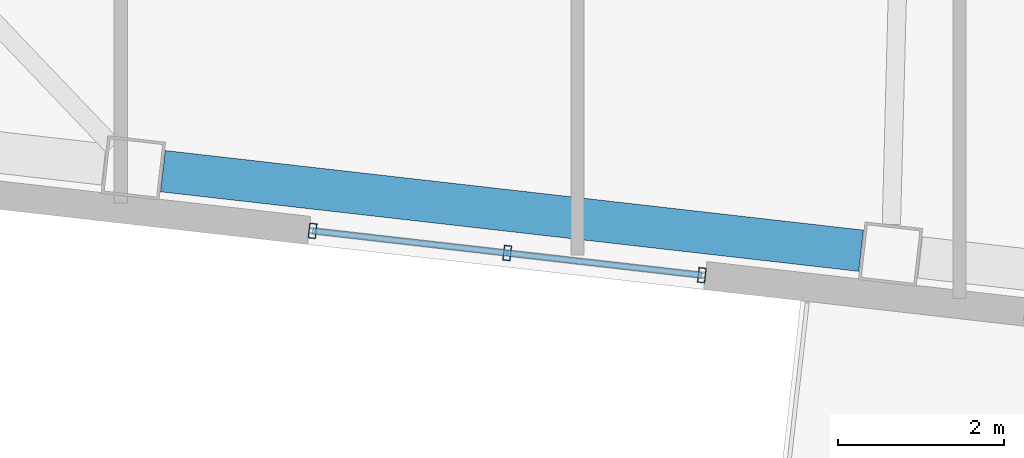
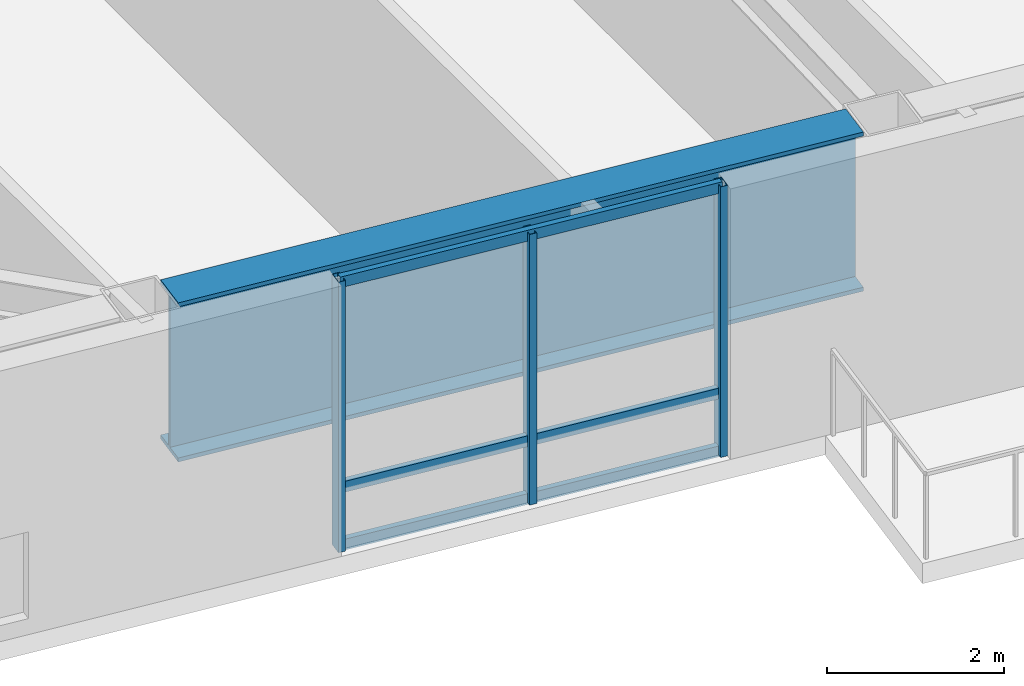
# One storey, part 2 of 21: 6 members, 1 beam, 1 element without a shape of its own.
"""IFC4 building model written with IfcOpenShell, lengths in metres."""

from ifc_helpers import new_model, si_unit, direction, frame, origin, origin_2d, place, context, subcontext, project, spatial, hollow_rectangle, i_section, extrude, material, layer, layer_set, material_profile, profile_set, type_object, element, aggregate, save


model = new_model("IFC4")

# Units and contexts
model_context = context("Model", 3, precision=1e-05, world=origin(), true_north=direction((0.0, 1.0)))
body_context = subcontext(model_context, "Body", "Model", "MODEL_VIEW")
ifc_project = project(units=[si_unit("LENGTHUNIT", "METRE"), si_unit("AREAUNIT", "SQUARE_METRE"), si_unit("VOLUMEUNIT", "CUBIC_METRE"), si_unit("PLANEANGLEUNIT", "RADIAN"), si_unit("MASSUNIT", "GRAM", prefix="KILO")], contexts=[model_context])

# Site, building, storey
site_placement = place(None, origin())
site = spatial("IfcSite", under=ifc_project, at=site_placement, CompositionType="ELEMENT")
building_placement = place(site_placement, origin())
building = spatial("IfcBuilding", under=site, at=building_placement, Name="Tavrogorsk Clinical Tower", CompositionType="ELEMENT")
storey_placement = place(building_placement, frame((0.0, 0.0, 109.39990234375)))
storey = spatial("IfcBuildingStorey", under=building, at=storey_placement, Name="L24", CompositionType="ELEMENT", Elevation=109.39990234375)

# Curtain wall, members
ifc_material_1 = material(Name="Anodised aluminium and triple IGU glazing", Category="aluminium")
ifc_layer = layer(ifc_material_1, 0.179931640625)
ifc_layer_set = layer_set([ifc_layer], Name="Anodised aluminium and triple IGU glazing")
curtain_wall_type = type_object("IfcCurtainWallType", Name="CW3_SouthSlot", PredefinedType="NOTDEFINED", material=ifc_layer_set)
curtain_wall_placement = place(storey_placement, origin())
curtain_wall = element("IfcCurtainWall", 1, at=curtain_wall_placement, inside=storey, type_object=curtain_wall_type, Name="L24 Curtain Wall CW-L24-S-SLOT-1", PredefinedType="NOTDEFINED")
ifc_material_2 = material(Name="Anodised aluminium alloy AW-6060", Category="aluminium")
ifc_material_profile_1 = material_profile(ifc_material_2, hollow_rectangle(XDim=0.090087890625, YDim=0.179931640625, WallThickness=0.00634765625, at=origin_2d()), Name="RHS-180x90x6.3")
ifc_profile_set_1 = profile_set([ifc_material_profile_1], Name="Anodised aluminium alloy AW-6060")
member_type_1 = type_object("IfcMemberType", Name="CwMullion_180x90", PredefinedType="MULLION", material=ifc_profile_set_1)
member_1_placement = place(storey_placement, frame((-11.850341796875, -24.9658203125, 0.0), z_axis=(0.0, 0.0, 1.0), x_axis=(0.993571855603, -0.11320321441, 0.0)))
member_1 = element("IfcMember", 2, at=member_1_placement, type_object=member_type_1, Name="CW-L24-S-SLOT-1 Mullion 1", PredefinedType="MULLION", context=body_context, shape_type="SweptSolid", body=[
    extrude(hollow_rectangle(XDim=0.090087890625, YDim=0.179931640625, WallThickness=0.00634765625, at=origin_2d()), origin(), (0.0, 0.0, 1.0), 3.739990234375),
])
member_2_placement = place(storey_placement, frame((-9.50634765625, -25.23291015625, 0.0), z_axis=(0.0, 0.0, 1.0), x_axis=(0.993571855603, -0.11320321441, 0.0)))
member_2 = element("IfcMember", 3, at=member_2_placement, type_object=member_type_1, Name="CW-L24-S-SLOT-1 Mullion 2", PredefinedType="MULLION", context=body_context, shape_type="SweptSolid", body=[
    extrude(hollow_rectangle(XDim=0.090087890625, YDim=0.179931640625, WallThickness=0.00634765625, at=origin_2d()), origin(), (0.0, 0.0, 1.0), 3.739990234375),
])
member_3_placement = place(storey_placement, frame((-7.16259765625, -25.499755859375, 0.0), z_axis=(0.0, 0.0, 1.0), x_axis=(0.993571855603, -0.11320321441, 0.0)))
member_3 = element("IfcMember", 4, at=member_3_placement, type_object=member_type_1, Name="CW-L24-S-SLOT-1 Mullion 3", PredefinedType="MULLION", context=body_context, shape_type="SweptSolid", body=[
    extrude(hollow_rectangle(XDim=0.090087890625, YDim=0.179931640625, WallThickness=0.00634765625, at=origin_2d()), origin(), (0.0, 0.0, 1.0), 3.739990234375),
])
ifc_material_3 = material(Name="Anodised aluminium alloy AW-6060", Category="aluminium")
ifc_material_profile_2 = material_profile(ifc_material_3, hollow_rectangle(XDim=0.074951171875, YDim=0.14990234375, WallThickness=0.0048828125, at=origin_2d()), Name="RHS-150x75x5")
ifc_profile_set_2 = profile_set([ifc_material_profile_2], Name="Anodised aluminium alloy AW-6060")
member_type_2 = type_object("IfcMemberType", Name="CwTransom_150x75", PredefinedType="USERDEFINED", material=ifc_profile_set_2)
member_4_placement = place(storey_placement, frame((-11.850341796875, -24.9658203125, 0.050048828125), z_axis=(0.993575798904, -0.113168599146, 0.0), x_axis=(0.113168599146, 0.993575798904, 0.0)))
member_4 = element("IfcMember", 5, at=member_4_placement, type_object=member_type_2, Name="CW-L24-S-SLOT-1 Transom 1", ObjectType="TRANSOM", PredefinedType="USERDEFINED", context=body_context, shape_type="SweptSolid", body=[
    extrude(hollow_rectangle(XDim=0.074951171875, YDim=0.14990234375, WallThickness=0.0048828125, at=origin_2d()), origin(), (0.0, 0.0, 1.0), 4.718017578125),
])
member_5_placement = place(storey_placement, frame((-11.850341796875, -24.9658203125, 0.85009765625), z_axis=(0.993575798904, -0.113168599146, 0.0), x_axis=(0.113168599146, 0.993575798904, 0.0)))
member_5 = element("IfcMember", 6, at=member_5_placement, type_object=member_type_2, Name="CW-L24-S-SLOT-1 Transom 2", ObjectType="TRANSOM", PredefinedType="USERDEFINED", context=body_context, shape_type="SweptSolid", body=[
    extrude(hollow_rectangle(XDim=0.074951171875, YDim=0.14990234375, WallThickness=0.0048828125, at=origin_2d()), origin(), (0.0, 0.0, 1.0), 4.718017578125),
])
member_6_placement = place(storey_placement, frame((-11.850341796875, -24.9658203125, 3.690185546875), z_axis=(0.993575798904, -0.113168599146, 0.0), x_axis=(0.113168599146, 0.993575798904, 0.0)))
member_6 = element("IfcMember", 7, at=member_6_placement, type_object=member_type_2, Name="CW-L24-S-SLOT-1 Transom 3", ObjectType="TRANSOM", PredefinedType="USERDEFINED", context=body_context, shape_type="SweptSolid", body=[
    extrude(hollow_rectangle(XDim=0.074951171875, YDim=0.14990234375, WallThickness=0.0048828125, at=origin_2d()), origin(), (0.0, 0.0, 1.0), 4.718017578125),
])
aggregate(curtain_wall, [member_1, member_2, member_3, member_4, member_5, member_6])

# Beam
ifc_material_4 = material(Name="Structural steel S440", Category="steel")
ifc_material_profile_3 = material_profile(ifc_material_4, i_section(OverallWidth=0.5, OverallDepth=2.199951171875, WebThickness=0.035888671875, FlangeThickness=0.054931640625, at=origin_2d()), Name="DK-2200x500x36x55")
ifc_profile_set_3 = profile_set([ifc_material_profile_3], Name="Structural steel S440")
beam_type = type_object("IfcBeamType", Name="TransferGirder_DK2200", PredefinedType="USERDEFINED", material=ifc_profile_set_3)
beam_placement = place(storey_placement, frame((-13.652099609375, -24.2470703125, 2.64013671875), z_axis=(0.993569449752, -0.113224328304, 0.0), x_axis=(0.113224328304, 0.993569449752, 0.0)))
element("IfcBeam", 8, at=beam_placement, inside=storey, type_object=beam_type, Name="L24 Perimeter Spandrel S3-S4", ObjectType="GIRDER", PredefinedType="USERDEFINED", context=body_context, shape_type="SweptSolid", body=[
    extrude(i_section(OverallWidth=0.5, OverallDepth=2.199951171875, WebThickness=0.035888671875, FlangeThickness=0.054931640625, at=origin_2d()), origin(), (0.0, 0.0, 1.0), 8.461181640625),
])

save(model, "model.ifc")
